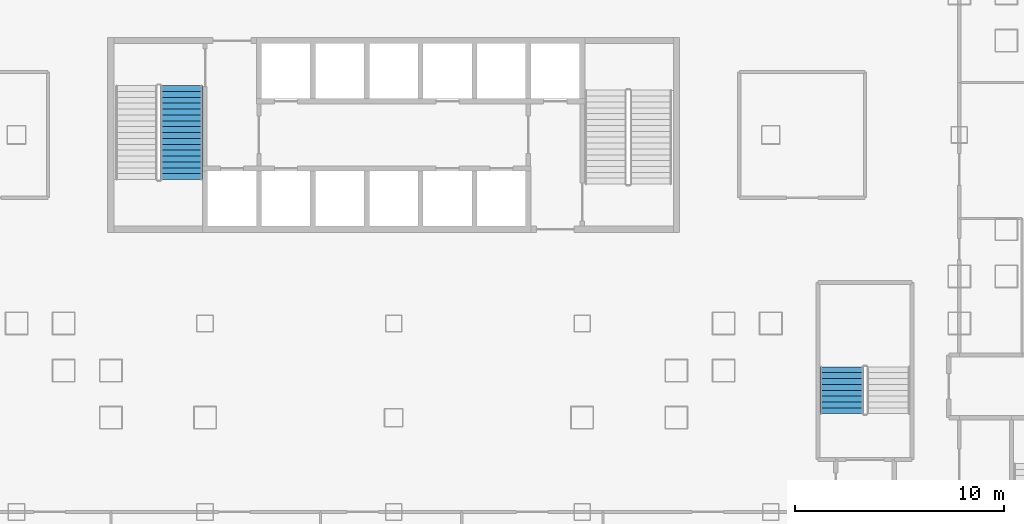
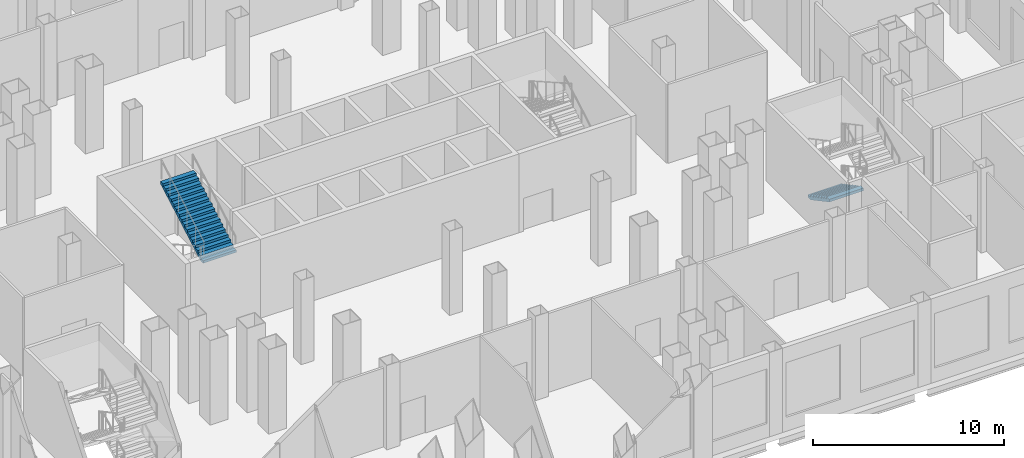
# One storey, part 12 of 27: 2 stair flights, 2 elements without a shape of their own.
"""IFC4 building model written with IfcOpenShell, lengths in metres."""

from ifc_helpers import new_model, si_unit, direction, frame, origin, place, context, subcontext, project, spatial, polygons, material, type_object, element, aggregate, save


model = new_model("IFC4")

# Units and contexts
model_context = context("Model", 3, precision=1e-05, world=origin(), true_north=direction((0.0, 1.0)))
body_context = subcontext(model_context, "Body", "Model", "MODEL_VIEW")
ifc_project = project(units=[si_unit("LENGTHUNIT", "METRE"), si_unit("AREAUNIT", "SQUARE_METRE"), si_unit("VOLUMEUNIT", "CUBIC_METRE"), si_unit("PLANEANGLEUNIT", "RADIAN"), si_unit("MASSUNIT", "GRAM", prefix="KILO")], contexts=[model_context])

# Site, building, storey
site_placement = place(None, origin())
site = spatial("IfcSite", under=ifc_project, at=site_placement, CompositionType="ELEMENT")
building_placement = place(site_placement, origin())
building = spatial("IfcBuilding", under=site, at=building_placement, Name="Caravel Reach Hotel and Residences", CompositionType="ELEMENT")
storey_placement = place(building_placement, frame((0.0, 0.0, 6.60009765625)))
storey = spatial("IfcBuildingStorey", under=building, at=storey_placement, Name="L01", CompositionType="ELEMENT", Elevation=6.60009765625)

# Stair, stair flight
ifc_material_1 = material(Name="Concrete C40", Category="concrete")
stair_type = type_object("IfcStairType", Name="Core stair", PredefinedType="HALF_TURN_STAIR", material=ifc_material_1)
stair_1_placement = place(storey_placement, origin())
stair_1 = element("IfcStair", 1, at=stair_1_placement, inside=storey, type_object=stair_type, Name="L01 Exit stair A", PredefinedType="HALF_TURN_STAIR")
ifc_material_2 = material(Name="Concrete C40", Category="concrete")
stair_flight_type = type_object("IfcStairFlightType", Name="Core stair flight", PredefinedType="STRAIGHT", material=ifc_material_2)
stair_flight_1_placement = place(storey_placement, frame((21.375, 24.8701171875, 2.699951171875), z_axis=(0.0, 0.0, 1.0), x_axis=(0.0, 1.0, 0.0)))
stair_flight_1 = element("IfcStairFlight", 2, at=stair_flight_1_placement, type_object=stair_flight_type, Name="ST-A flight 2", NumberOfRisers=17, NumberOfTreads=16, PredefinedType="STRAIGHT", RiserHeight=0.158823529, TreadLength=0.28, context=body_context, shape_type="Tessellation", body=[
    polygons([(0.30382651472380307, 1.0, 0.0), (0.30382651472380307, 0.6666666666666667, 0.0), (0.30382651472380307, 0.33333333333333337, 0.0), (0.30382651472380307, 0.0, 0.0), (0.30382651472380307, -0.33333333333333326, 0.0), (0.30382651472380307, -0.6666666666666667, 0.0), (0.30382651472380307, -1.0, 0.0), (4.481000000000001, 1.0, 2.3688378951706968), (4.481000000000001, 0.6666666666666667, 2.3688378951706968), (4.481000000000001, 0.33333333333333337, 2.3688378951706968), (4.481000000000001, 0.0, 2.3688378951706968), (4.481000000000001, -0.33333333333333326, 2.3688378951706968), (4.481000000000001, -0.6666666666666667, 2.3688378951706968), (4.481000000000001, -1.0, 2.3688378951706968), (4.481000000000001, 1.0, 2.541176464), (4.481000000000001, 0.6666666666666667, 2.541176464), (4.481000000000001, 0.33333333333333337, 2.541176464), (4.481000000000001, 0.0, 2.541176464), (4.481000000000001, -0.33333333333333326, 2.541176464), (4.481000000000001, -0.6666666666666667, 2.541176464), (4.481000000000001, -1.0, 2.541176464), (4.2, 1.0, 2.541176464), (4.2, 0.6666666666666667, 2.541176464), (4.2, 0.33333333333333337, 2.541176464), (4.2, 0.0, 2.541176464), (4.2, -0.33333333333333326, 2.541176464), (4.2, -0.6666666666666667, 2.541176464), (4.2, -1.0, 2.541176464), (4.2, 1.0, 2.3823529349999997), (4.2, 0.6666666666666667, 2.3823529349999997), (4.2, 0.33333333333333337, 2.3823529349999997), (4.2, 0.0, 2.3823529349999997), (4.2, -0.33333333333333326, 2.3823529349999997), (4.2, -0.6666666666666667, 2.3823529349999997), (4.2, -1.0, 2.3823529349999997), (3.9200000000000004, 1.0, 2.3823529349999997), (3.9200000000000004, 0.6666666666666667, 2.3823529349999997), (3.9200000000000004, 0.33333333333333337, 2.3823529349999997), (3.9200000000000004, 0.0, 2.3823529349999997), (3.9200000000000004, -0.33333333333333326, 2.3823529349999997), (3.9200000000000004, -0.6666666666666667, 2.3823529349999997), (3.9200000000000004, -1.0, 2.3823529349999997), (3.9200000000000004, 1.0, 2.223529406), (3.9200000000000004, 0.6666666666666667, 2.223529406), (3.9200000000000004, 0.33333333333333337, 2.223529406), (3.9200000000000004, 0.0, 2.223529406), (3.9200000000000004, -0.33333333333333326, 2.223529406), (3.9200000000000004, -0.6666666666666667, 2.223529406), (3.9200000000000004, -1.0, 2.223529406), (3.6400000000000006, 1.0, 2.223529406), (3.6400000000000006, 0.6666666666666667, 2.223529406), (3.6400000000000006, 0.33333333333333337, 2.223529406), (3.6400000000000006, 0.0, 2.223529406), (3.6400000000000006, -0.33333333333333326, 2.223529406), (3.6400000000000006, -0.6666666666666667, 2.223529406), (3.6400000000000006, -1.0, 2.223529406), (3.6400000000000006, 1.0, 2.0647058769999997), (3.6400000000000006, 0.6666666666666667, 2.0647058769999997), (3.6400000000000006, 0.33333333333333337, 2.0647058769999997), (3.6400000000000006, 0.0, 2.0647058769999997), (3.6400000000000006, -0.33333333333333326, 2.0647058769999997), (3.6400000000000006, -0.6666666666666667, 2.0647058769999997), (3.6400000000000006, -1.0, 2.0647058769999997), (3.3600000000000003, 1.0, 2.0647058769999997), (3.3600000000000003, 0.6666666666666667, 2.0647058769999997), (3.3600000000000003, 0.33333333333333337, 2.0647058769999997), (3.3600000000000003, 0.0, 2.0647058769999997), (3.3600000000000003, -0.33333333333333326, 2.0647058769999997), (3.3600000000000003, -0.6666666666666667, 2.0647058769999997), (3.3600000000000003, -1.0, 2.0647058769999997), (3.3600000000000003, 1.0, 1.905882348), (3.3600000000000003, 0.6666666666666667, 1.905882348), (3.3600000000000003, 0.33333333333333337, 1.905882348), (3.3600000000000003, 0.0, 1.905882348), (3.3600000000000003, -0.33333333333333326, 1.905882348), (3.3600000000000003, -0.6666666666666667, 1.905882348), (3.3600000000000003, -1.0, 1.905882348), (3.08, 1.0, 1.905882348), (3.08, 0.6666666666666667, 1.905882348), (3.08, 0.33333333333333337, 1.905882348), (3.08, 0.0, 1.905882348), (3.08, -0.33333333333333326, 1.905882348), (3.08, -0.6666666666666667, 1.905882348), (3.08, -1.0, 1.905882348), (3.08, 1.0, 1.7470588189999998), (3.08, 0.6666666666666667, 1.7470588189999998), (3.08, 0.33333333333333337, 1.7470588189999998), (3.08, 0.0, 1.7470588189999998), (3.08, -0.33333333333333326, 1.7470588189999998), (3.08, -0.6666666666666667, 1.7470588189999998), (3.08, -1.0, 1.7470588189999998), (2.8000000000000003, 1.0, 1.7470588189999998), (2.8000000000000003, 0.6666666666666667, 1.7470588189999998), (2.8000000000000003, 0.33333333333333337, 1.7470588189999998), (2.8000000000000003, 0.0, 1.7470588189999998), (2.8000000000000003, -0.33333333333333326, 1.7470588189999998), (2.8000000000000003, -0.6666666666666667, 1.7470588189999998), (2.8000000000000003, -1.0, 1.7470588189999998), (2.8000000000000003, 1.0, 1.5882352899999999), (2.8000000000000003, 0.6666666666666667, 1.5882352899999999), (2.8000000000000003, 0.33333333333333337, 1.5882352899999999), (2.8000000000000003, 0.0, 1.5882352899999999), (2.8000000000000003, -0.33333333333333326, 1.5882352899999999), (2.8000000000000003, -0.6666666666666667, 1.5882352899999999), (2.8000000000000003, -1.0, 1.5882352899999999), (2.5200000000000005, 1.0, 1.5882352899999999), (2.5200000000000005, 0.6666666666666667, 1.5882352899999999), (2.5200000000000005, 0.33333333333333337, 1.5882352899999999), (2.5200000000000005, 0.0, 1.5882352899999999), (2.5200000000000005, -0.33333333333333326, 1.5882352899999999), (2.5200000000000005, -0.6666666666666667, 1.5882352899999999), (2.5200000000000005, -1.0, 1.5882352899999999), (2.5200000000000005, 1.0, 1.429411761), (2.5200000000000005, 0.6666666666666667, 1.429411761), (2.5200000000000005, 0.33333333333333337, 1.429411761), (2.5200000000000005, 0.0, 1.429411761), (2.5200000000000005, -0.33333333333333326, 1.429411761), (2.5200000000000005, -0.6666666666666667, 1.429411761), (2.5200000000000005, -1.0, 1.429411761), (2.24, 1.0, 1.429411761), (2.24, 0.6666666666666667, 1.429411761), (2.24, 0.33333333333333337, 1.429411761), (2.24, 0.0, 1.429411761), (2.24, -0.33333333333333326, 1.429411761), (2.24, -0.6666666666666667, 1.429411761), (2.24, -1.0, 1.429411761), (2.24, 1.0, 1.270588232), (2.24, 0.6666666666666667, 1.270588232), (2.24, 0.33333333333333337, 1.270588232), (2.24, 0.0, 1.270588232), (2.24, -0.33333333333333326, 1.270588232), (2.24, -0.6666666666666667, 1.270588232), (2.24, -1.0, 1.270588232), (1.9600000000000002, 1.0, 1.270588232), (1.9600000000000002, 0.6666666666666667, 1.270588232), (1.9600000000000002, 0.33333333333333337, 1.270588232), (1.9600000000000002, 0.0, 1.270588232), (1.9600000000000002, -0.33333333333333326, 1.270588232), (1.9600000000000002, -0.6666666666666667, 1.270588232), (1.9600000000000002, -1.0, 1.270588232), (1.9600000000000002, 1.0, 1.111764703), (1.9600000000000002, 0.6666666666666667, 1.111764703), (1.9600000000000002, 0.33333333333333337, 1.111764703), (1.9600000000000002, 0.0, 1.111764703), (1.9600000000000002, -0.33333333333333326, 1.111764703), (1.9600000000000002, -0.6666666666666667, 1.111764703), (1.9600000000000002, -1.0, 1.111764703), (1.6800000000000002, 1.0, 1.111764703), (1.6800000000000002, 0.6666666666666667, 1.111764703), (1.6800000000000002, 0.33333333333333337, 1.111764703), (1.6800000000000002, 0.0, 1.111764703), (1.6800000000000002, -0.33333333333333326, 1.111764703), (1.6800000000000002, -0.6666666666666667, 1.111764703), (1.6800000000000002, -1.0, 1.111764703), (1.6800000000000002, 1.0, 0.952941174), (1.6800000000000002, 0.6666666666666667, 0.952941174), (1.6800000000000002, 0.33333333333333337, 0.952941174), (1.6800000000000002, 0.0, 0.952941174), (1.6800000000000002, -0.33333333333333326, 0.952941174), (1.6800000000000002, -0.6666666666666667, 0.952941174), (1.6800000000000002, -1.0, 0.952941174), (1.4000000000000001, 1.0, 0.952941174), (1.4000000000000001, 0.6666666666666667, 0.952941174), (1.4000000000000001, 0.33333333333333337, 0.952941174), (1.4000000000000001, 0.0, 0.952941174), (1.4000000000000001, -0.33333333333333326, 0.952941174), (1.4000000000000001, -0.6666666666666667, 0.952941174), (1.4000000000000001, -1.0, 0.952941174), (1.4000000000000001, 1.0, 0.7941176449999999), (1.4000000000000001, 0.6666666666666667, 0.7941176449999999), (1.4000000000000001, 0.33333333333333337, 0.7941176449999999), (1.4000000000000001, 0.0, 0.7941176449999999), (1.4000000000000001, -0.33333333333333326, 0.7941176449999999), (1.4000000000000001, -0.6666666666666667, 0.7941176449999999), (1.4000000000000001, -1.0, 0.7941176449999999), (1.12, 1.0, 0.7941176449999999), (1.12, 0.6666666666666667, 0.7941176449999999), (1.12, 0.33333333333333337, 0.7941176449999999), (1.12, 0.0, 0.7941176449999999), (1.12, -0.33333333333333326, 0.7941176449999999), (1.12, -0.6666666666666667, 0.7941176449999999), (1.12, -1.0, 0.7941176449999999), (1.12, 1.0, 0.635294116), (1.12, 0.6666666666666667, 0.635294116), (1.12, 0.33333333333333337, 0.635294116), (1.12, 0.0, 0.635294116), (1.12, -0.33333333333333326, 0.635294116), (1.12, -0.6666666666666667, 0.635294116), (1.12, -1.0, 0.635294116), (0.8400000000000001, 1.0, 0.635294116), (0.8400000000000001, 0.6666666666666667, 0.635294116), (0.8400000000000001, 0.33333333333333337, 0.635294116), (0.8400000000000001, 0.0, 0.635294116), (0.8400000000000001, -0.33333333333333326, 0.635294116), (0.8400000000000001, -0.6666666666666667, 0.635294116), (0.8400000000000001, -1.0, 0.635294116), (0.8400000000000001, 1.0, 0.476470587), (0.8400000000000001, 0.6666666666666667, 0.476470587), (0.8400000000000001, 0.33333333333333337, 0.476470587), (0.8400000000000001, 0.0, 0.476470587), (0.8400000000000001, -0.33333333333333326, 0.476470587), (0.8400000000000001, -0.6666666666666667, 0.476470587), (0.8400000000000001, -1.0, 0.476470587), (0.56, 1.0, 0.476470587), (0.56, 0.6666666666666667, 0.476470587), (0.56, 0.33333333333333337, 0.476470587), (0.56, 0.0, 0.476470587), (0.56, -0.33333333333333326, 0.476470587), (0.56, -0.6666666666666667, 0.476470587), (0.56, -1.0, 0.476470587), (0.56, 1.0, 0.317647058), (0.56, 0.6666666666666667, 0.317647058), (0.56, 0.33333333333333337, 0.317647058), (0.56, 0.0, 0.317647058), (0.56, -0.33333333333333326, 0.317647058), (0.56, -0.6666666666666667, 0.317647058), (0.56, -1.0, 0.317647058), (0.28, 1.0, 0.317647058), (0.28, 0.6666666666666667, 0.317647058), (0.28, 0.33333333333333337, 0.317647058), (0.28, 0.0, 0.317647058), (0.28, -0.33333333333333326, 0.317647058), (0.28, -0.6666666666666667, 0.317647058), (0.28, -1.0, 0.317647058), (0.28, 1.0, 0.158823529), (0.28, 0.6666666666666667, 0.158823529), (0.28, 0.33333333333333337, 0.158823529), (0.28, 0.0, 0.158823529), (0.28, -0.33333333333333326, 0.158823529), (0.28, -0.6666666666666667, 0.158823529), (0.28, -1.0, 0.158823529), (-0.001, 1.0, 0.158823529), (-0.001, 0.6666666666666667, 0.158823529), (-0.001, 0.33333333333333337, 0.158823529), (-0.001, 0.0, 0.158823529), (-0.001, -0.33333333333333326, 0.158823529), (-0.001, -0.6666666666666667, 0.158823529), (-0.001, -1.0, 0.158823529), (-0.001, 1.0, 0.0), (-0.001, 0.6666666666666667, 0.0), (-0.001, 0.33333333333333337, 0.0), (-0.001, 0.0, 0.0), (-0.001, -0.33333333333333326, 0.0), (-0.001, -0.6666666666666667, 0.0), (-0.001, -1.0, 0.0)], [[[239, 232, 225, 218, 211, 204, 197, 190, 183, 176, 169, 162, 155, 148, 141, 134, 127, 120, 113, 106, 99, 92, 85, 78, 71, 64, 57, 50, 43, 36, 29, 22, 15, 8, 1]], [[7, 14, 21, 28, 35, 42, 49, 56, 63, 70, 77, 84, 91, 98, 105, 112, 119, 126, 133, 140, 147, 154, 161, 168, 175, 182, 189, 196, 203, 210, 217, 224, 231, 238, 245]], [[1, 8, 9, 2]], [[2, 9, 10, 3]], [[3, 10, 11, 4]], [[4, 11, 12, 5]], [[5, 12, 13, 6]], [[6, 13, 14, 7]], [[8, 15, 16, 9]], [[9, 16, 17, 10]], [[10, 17, 18, 11]], [[11, 18, 19, 12]], [[12, 19, 20, 13]], [[13, 20, 21, 14]], [[15, 22, 23, 16]], [[16, 23, 24, 17]], [[17, 24, 25, 18]], [[18, 25, 26, 19]], [[19, 26, 27, 20]], [[20, 27, 28, 21]], [[22, 29, 30, 23]], [[23, 30, 31, 24]], [[24, 31, 32, 25]], [[25, 32, 33, 26]], [[26, 33, 34, 27]], [[27, 34, 35, 28]], [[29, 36, 37, 30]], [[30, 37, 38, 31]], [[31, 38, 39, 32]], [[32, 39, 40, 33]], [[33, 40, 41, 34]], [[34, 41, 42, 35]], [[36, 43, 44, 37]], [[37, 44, 45, 38]], [[38, 45, 46, 39]], [[39, 46, 47, 40]], [[40, 47, 48, 41]], [[41, 48, 49, 42]], [[43, 50, 51, 44]], [[44, 51, 52, 45]], [[45, 52, 53, 46]], [[46, 53, 54, 47]], [[47, 54, 55, 48]], [[48, 55, 56, 49]], [[50, 57, 58, 51]], [[51, 58, 59, 52]], [[52, 59, 60, 53]], [[53, 60, 61, 54]], [[54, 61, 62, 55]], [[55, 62, 63, 56]], [[57, 64, 65, 58]], [[58, 65, 66, 59]], [[59, 66, 67, 60]], [[60, 67, 68, 61]], [[61, 68, 69, 62]], [[62, 69, 70, 63]], [[64, 71, 72, 65]], [[65, 72, 73, 66]], [[66, 73, 74, 67]], [[67, 74, 75, 68]], [[68, 75, 76, 69]], [[69, 76, 77, 70]], [[71, 78, 79, 72]], [[72, 79, 80, 73]], [[73, 80, 81, 74]], [[74, 81, 82, 75]], [[75, 82, 83, 76]], [[76, 83, 84, 77]], [[78, 85, 86, 79]], [[79, 86, 87, 80]], [[80, 87, 88, 81]], [[81, 88, 89, 82]], [[82, 89, 90, 83]], [[83, 90, 91, 84]], [[85, 92, 93, 86]], [[86, 93, 94, 87]], [[87, 94, 95, 88]], [[88, 95, 96, 89]], [[89, 96, 97, 90]], [[90, 97, 98, 91]], [[92, 99, 100, 93]], [[93, 100, 101, 94]], [[94, 101, 102, 95]], [[95, 102, 103, 96]], [[96, 103, 104, 97]], [[97, 104, 105, 98]], [[99, 106, 107, 100]], [[100, 107, 108, 101]], [[101, 108, 109, 102]], [[102, 109, 110, 103]], [[103, 110, 111, 104]], [[104, 111, 112, 105]], [[106, 113, 114, 107]], [[107, 114, 115, 108]], [[108, 115, 116, 109]], [[109, 116, 117, 110]], [[110, 117, 118, 111]], [[111, 118, 119, 112]], [[113, 120, 121, 114]], [[114, 121, 122, 115]], [[115, 122, 123, 116]], [[116, 123, 124, 117]], [[117, 124, 125, 118]], [[118, 125, 126, 119]], [[120, 127, 128, 121]], [[121, 128, 129, 122]], [[122, 129, 130, 123]], [[123, 130, 131, 124]], [[124, 131, 132, 125]], [[125, 132, 133, 126]], [[127, 134, 135, 128]], [[128, 135, 136, 129]], [[129, 136, 137, 130]], [[130, 137, 138, 131]], [[131, 138, 139, 132]], [[132, 139, 140, 133]], [[134, 141, 142, 135]], [[135, 142, 143, 136]], [[136, 143, 144, 137]], [[137, 144, 145, 138]], [[138, 145, 146, 139]], [[139, 146, 147, 140]], [[141, 148, 149, 142]], [[142, 149, 150, 143]], [[143, 150, 151, 144]], [[144, 151, 152, 145]], [[145, 152, 153, 146]], [[146, 153, 154, 147]], [[148, 155, 156, 149]], [[149, 156, 157, 150]], [[150, 157, 158, 151]], [[151, 158, 159, 152]], [[152, 159, 160, 153]], [[153, 160, 161, 154]], [[155, 162, 163, 156]], [[156, 163, 164, 157]], [[157, 164, 165, 158]], [[158, 165, 166, 159]], [[159, 166, 167, 160]], [[160, 167, 168, 161]], [[162, 169, 170, 163]], [[163, 170, 171, 164]], [[164, 171, 172, 165]], [[165, 172, 173, 166]], [[166, 173, 174, 167]], [[167, 174, 175, 168]], [[169, 176, 177, 170]], [[170, 177, 178, 171]], [[171, 178, 179, 172]], [[172, 179, 180, 173]], [[173, 180, 181, 174]], [[174, 181, 182, 175]], [[176, 183, 184, 177]], [[177, 184, 185, 178]], [[178, 185, 186, 179]], [[179, 186, 187, 180]], [[180, 187, 188, 181]], [[181, 188, 189, 182]], [[183, 190, 191, 184]], [[184, 191, 192, 185]], [[185, 192, 193, 186]], [[186, 193, 194, 187]], [[187, 194, 195, 188]], [[188, 195, 196, 189]], [[190, 197, 198, 191]], [[191, 198, 199, 192]], [[192, 199, 200, 193]], [[193, 200, 201, 194]], [[194, 201, 202, 195]], [[195, 202, 203, 196]], [[197, 204, 205, 198]], [[198, 205, 206, 199]], [[199, 206, 207, 200]], [[200, 207, 208, 201]], [[201, 208, 209, 202]], [[202, 209, 210, 203]], [[204, 211, 212, 205]], [[205, 212, 213, 206]], [[206, 213, 214, 207]], [[207, 214, 215, 208]], [[208, 215, 216, 209]], [[209, 216, 217, 210]], [[211, 218, 219, 212]], [[212, 219, 220, 213]], [[213, 220, 221, 214]], [[214, 221, 222, 215]], [[215, 222, 223, 216]], [[216, 223, 224, 217]], [[218, 225, 226, 219]], [[219, 226, 227, 220]], [[220, 227, 228, 221]], [[221, 228, 229, 222]], [[222, 229, 230, 223]], [[223, 230, 231, 224]], [[225, 232, 233, 226]], [[226, 233, 234, 227]], [[227, 234, 235, 228]], [[228, 235, 236, 229]], [[229, 236, 237, 230]], [[230, 237, 238, 231]], [[232, 239, 240, 233]], [[233, 240, 241, 234]], [[234, 241, 242, 235]], [[235, 242, 243, 236]], [[236, 243, 244, 237]], [[237, 244, 245, 238]], [[239, 1, 2, 240]], [[240, 2, 3, 241]], [[241, 3, 4, 242]], [[242, 4, 5, 243]], [[243, 5, 6, 244]], [[244, 6, 7, 245]]], closed=True),
])
aggregate(stair_1, [stair_flight_1])

stair_2_placement = place(storey_placement, origin())
stair_2 = element("IfcStair", 3, at=stair_2_placement, inside=storey, type_object=stair_type, Name="L01 Exit stair P4", PredefinedType="HALF_TURN_STAIR")
stair_flight_2_placement = place(storey_placement, frame((52.889892578125, 15.929931640625, 1.349853515625), z_axis=(0.0, 0.0, 1.0), x_axis=(0.0, -1.0, 0.0)))
stair_flight_2 = element("IfcStairFlight", 4, at=stair_flight_2_placement, type_object=stair_flight_type, Name="ST-P4 flight 2", NumberOfRisers=9, NumberOfTreads=8, PredefinedType="STRAIGHT", RiserHeight=0.15, TreadLength=0.28, context=body_context, shape_type="Tessellation", body=[
    polygons([(0.3174408016601864, 1.0350341796875, 0.0), (0.3174408016601864, 0.6900227864583333, 0.0), (0.3174408016601864, 0.34501139322916663, 0.0), (0.3174408016601864, 0.0, 0.0), (0.3174408016601864, -0.34501139322916674, 0.0), (0.3174408016601864, -0.6900227864583333, 0.0), (0.3174408016601864, -1.0350341796875, 0.0), (2.241, 1.0350341796875, 1.029942427682043), (2.241, 0.6900227864583333, 1.029942427682043), (2.241, 0.34501139322916663, 1.029942427682043), (2.241, 0.0, 1.029942427682043), (2.241, -0.34501139322916674, 1.029942427682043), (2.241, -0.6900227864583333, 1.029942427682043), (2.241, -1.0350341796875, 1.029942427682043), (2.241, 1.0350341796875, 1.2), (2.241, 0.6900227864583333, 1.2), (2.241, 0.34501139322916663, 1.2), (2.241, 0.0, 1.2), (2.241, -0.34501139322916674, 1.2), (2.241, -0.6900227864583333, 1.2), (2.241, -1.0350341796875, 1.2), (1.9600000000000002, 1.0350341796875, 1.2), (1.9600000000000002, 0.6900227864583333, 1.2), (1.9600000000000002, 0.34501139322916663, 1.2), (1.9600000000000002, 0.0, 1.2), (1.9600000000000002, -0.34501139322916674, 1.2), (1.9600000000000002, -0.6900227864583333, 1.2), (1.9600000000000002, -1.0350341796875, 1.2), (1.9600000000000002, 1.0350341796875, 1.05), (1.9600000000000002, 0.6900227864583333, 1.05), (1.9600000000000002, 0.34501139322916663, 1.05), (1.9600000000000002, 0.0, 1.05), (1.9600000000000002, -0.34501139322916674, 1.05), (1.9600000000000002, -0.6900227864583333, 1.05), (1.9600000000000002, -1.0350341796875, 1.05), (1.6800000000000002, 1.0350341796875, 1.05), (1.6800000000000002, 0.6900227864583333, 1.05), (1.6800000000000002, 0.34501139322916663, 1.05), (1.6800000000000002, 0.0, 1.05), (1.6800000000000002, -0.34501139322916674, 1.05), (1.6800000000000002, -0.6900227864583333, 1.05), (1.6800000000000002, -1.0350341796875, 1.05), (1.6800000000000002, 1.0350341796875, 0.8999999999999999), (1.6800000000000002, 0.6900227864583333, 0.8999999999999999), (1.6800000000000002, 0.34501139322916663, 0.8999999999999999), (1.6800000000000002, 0.0, 0.8999999999999999), (1.6800000000000002, -0.34501139322916674, 0.8999999999999999), (1.6800000000000002, -0.6900227864583333, 0.8999999999999999), (1.6800000000000002, -1.0350341796875, 0.8999999999999999), (1.4000000000000001, 1.0350341796875, 0.8999999999999999), (1.4000000000000001, 0.6900227864583333, 0.8999999999999999), (1.4000000000000001, 0.34501139322916663, 0.8999999999999999), (1.4000000000000001, 0.0, 0.8999999999999999), (1.4000000000000001, -0.34501139322916674, 0.8999999999999999), (1.4000000000000001, -0.6900227864583333, 0.8999999999999999), (1.4000000000000001, -1.0350341796875, 0.8999999999999999), (1.4000000000000001, 1.0350341796875, 0.75), (1.4000000000000001, 0.6900227864583333, 0.75), (1.4000000000000001, 0.34501139322916663, 0.75), (1.4000000000000001, 0.0, 0.75), (1.4000000000000001, -0.34501139322916674, 0.75), (1.4000000000000001, -0.6900227864583333, 0.75), (1.4000000000000001, -1.0350341796875, 0.75), (1.12, 1.0350341796875, 0.75), (1.12, 0.6900227864583333, 0.75), (1.12, 0.34501139322916663, 0.75), (1.12, 0.0, 0.75), (1.12, -0.34501139322916674, 0.75), (1.12, -0.6900227864583333, 0.75), (1.12, -1.0350341796875, 0.75), (1.12, 1.0350341796875, 0.6), (1.12, 0.6900227864583333, 0.6), (1.12, 0.34501139322916663, 0.6), (1.12, 0.0, 0.6), (1.12, -0.34501139322916674, 0.6), (1.12, -0.6900227864583333, 0.6), (1.12, -1.0350341796875, 0.6), (0.8400000000000001, 1.0350341796875, 0.6), (0.8400000000000001, 0.6900227864583333, 0.6), (0.8400000000000001, 0.34501139322916663, 0.6), (0.8400000000000001, 0.0, 0.6), (0.8400000000000001, -0.34501139322916674, 0.6), (0.8400000000000001, -0.6900227864583333, 0.6), (0.8400000000000001, -1.0350341796875, 0.6), (0.8400000000000001, 1.0350341796875, 0.44999999999999996), (0.8400000000000001, 0.6900227864583333, 0.44999999999999996), (0.8400000000000001, 0.34501139322916663, 0.44999999999999996), (0.8400000000000001, 0.0, 0.44999999999999996), (0.8400000000000001, -0.34501139322916674, 0.44999999999999996), (0.8400000000000001, -0.6900227864583333, 0.44999999999999996), (0.8400000000000001, -1.0350341796875, 0.44999999999999996), (0.56, 1.0350341796875, 0.44999999999999996), (0.56, 0.6900227864583333, 0.44999999999999996), (0.56, 0.34501139322916663, 0.44999999999999996), (0.56, 0.0, 0.44999999999999996), (0.56, -0.34501139322916674, 0.44999999999999996), (0.56, -0.6900227864583333, 0.44999999999999996), (0.56, -1.0350341796875, 0.44999999999999996), (0.56, 1.0350341796875, 0.3), (0.56, 0.6900227864583333, 0.3), (0.56, 0.34501139322916663, 0.3), (0.56, 0.0, 0.3), (0.56, -0.34501139322916674, 0.3), (0.56, -0.6900227864583333, 0.3), (0.56, -1.0350341796875, 0.3), (0.28, 1.0350341796875, 0.3), (0.28, 0.6900227864583333, 0.3), (0.28, 0.34501139322916663, 0.3), (0.28, 0.0, 0.3), (0.28, -0.34501139322916674, 0.3), (0.28, -0.6900227864583333, 0.3), (0.28, -1.0350341796875, 0.3), (0.28, 1.0350341796875, 0.15), (0.28, 0.6900227864583333, 0.15), (0.28, 0.34501139322916663, 0.15), (0.28, 0.0, 0.15), (0.28, -0.34501139322916674, 0.15), (0.28, -0.6900227864583333, 0.15), (0.28, -1.0350341796875, 0.15), (-0.001, 1.0350341796875, 0.15), (-0.001, 0.6900227864583333, 0.15), (-0.001, 0.34501139322916663, 0.15), (-0.001, 0.0, 0.15), (-0.001, -0.34501139322916674, 0.15), (-0.001, -0.6900227864583333, 0.15), (-0.001, -1.0350341796875, 0.15), (-0.001, 1.0350341796875, 0.0), (-0.001, 0.6900227864583333, 0.0), (-0.001, 0.34501139322916663, 0.0), (-0.001, 0.0, 0.0), (-0.001, -0.34501139322916674, 0.0), (-0.001, -0.6900227864583333, 0.0), (-0.001, -1.0350341796875, 0.0)], [[[127, 120, 113, 106, 99, 92, 85, 78, 71, 64, 57, 50, 43, 36, 29, 22, 15, 8, 1]], [[7, 14, 21, 28, 35, 42, 49, 56, 63, 70, 77, 84, 91, 98, 105, 112, 119, 126, 133]], [[1, 8, 9, 2]], [[2, 9, 10, 3]], [[3, 10, 11, 4]], [[4, 11, 12, 5]], [[5, 12, 13, 6]], [[6, 13, 14, 7]], [[8, 15, 16, 9]], [[9, 16, 17, 10]], [[10, 17, 18, 11]], [[11, 18, 19, 12]], [[12, 19, 20, 13]], [[13, 20, 21, 14]], [[15, 22, 23, 16]], [[16, 23, 24, 17]], [[17, 24, 25, 18]], [[18, 25, 26, 19]], [[19, 26, 27, 20]], [[20, 27, 28, 21]], [[22, 29, 30, 23]], [[23, 30, 31, 24]], [[24, 31, 32, 25]], [[25, 32, 33, 26]], [[26, 33, 34, 27]], [[27, 34, 35, 28]], [[29, 36, 37, 30]], [[30, 37, 38, 31]], [[31, 38, 39, 32]], [[32, 39, 40, 33]], [[33, 40, 41, 34]], [[34, 41, 42, 35]], [[36, 43, 44, 37]], [[37, 44, 45, 38]], [[38, 45, 46, 39]], [[39, 46, 47, 40]], [[40, 47, 48, 41]], [[41, 48, 49, 42]], [[43, 50, 51, 44]], [[44, 51, 52, 45]], [[45, 52, 53, 46]], [[46, 53, 54, 47]], [[47, 54, 55, 48]], [[48, 55, 56, 49]], [[50, 57, 58, 51]], [[51, 58, 59, 52]], [[52, 59, 60, 53]], [[53, 60, 61, 54]], [[54, 61, 62, 55]], [[55, 62, 63, 56]], [[57, 64, 65, 58]], [[58, 65, 66, 59]], [[59, 66, 67, 60]], [[60, 67, 68, 61]], [[61, 68, 69, 62]], [[62, 69, 70, 63]], [[64, 71, 72, 65]], [[65, 72, 73, 66]], [[66, 73, 74, 67]], [[67, 74, 75, 68]], [[68, 75, 76, 69]], [[69, 76, 77, 70]], [[71, 78, 79, 72]], [[72, 79, 80, 73]], [[73, 80, 81, 74]], [[74, 81, 82, 75]], [[75, 82, 83, 76]], [[76, 83, 84, 77]], [[78, 85, 86, 79]], [[79, 86, 87, 80]], [[80, 87, 88, 81]], [[81, 88, 89, 82]], [[82, 89, 90, 83]], [[83, 90, 91, 84]], [[85, 92, 93, 86]], [[86, 93, 94, 87]], [[87, 94, 95, 88]], [[88, 95, 96, 89]], [[89, 96, 97, 90]], [[90, 97, 98, 91]], [[92, 99, 100, 93]], [[93, 100, 101, 94]], [[94, 101, 102, 95]], [[95, 102, 103, 96]], [[96, 103, 104, 97]], [[97, 104, 105, 98]], [[99, 106, 107, 100]], [[100, 107, 108, 101]], [[101, 108, 109, 102]], [[102, 109, 110, 103]], [[103, 110, 111, 104]], [[104, 111, 112, 105]], [[106, 113, 114, 107]], [[107, 114, 115, 108]], [[108, 115, 116, 109]], [[109, 116, 117, 110]], [[110, 117, 118, 111]], [[111, 118, 119, 112]], [[113, 120, 121, 114]], [[114, 121, 122, 115]], [[115, 122, 123, 116]], [[116, 123, 124, 117]], [[117, 124, 125, 118]], [[118, 125, 126, 119]], [[120, 127, 128, 121]], [[121, 128, 129, 122]], [[122, 129, 130, 123]], [[123, 130, 131, 124]], [[124, 131, 132, 125]], [[125, 132, 133, 126]], [[127, 1, 2, 128]], [[128, 2, 3, 129]], [[129, 3, 4, 130]], [[130, 4, 5, 131]], [[131, 5, 6, 132]], [[132, 6, 7, 133]]], closed=True),
])
aggregate(stair_2, [stair_flight_2])

save(model, "model.ifc")
